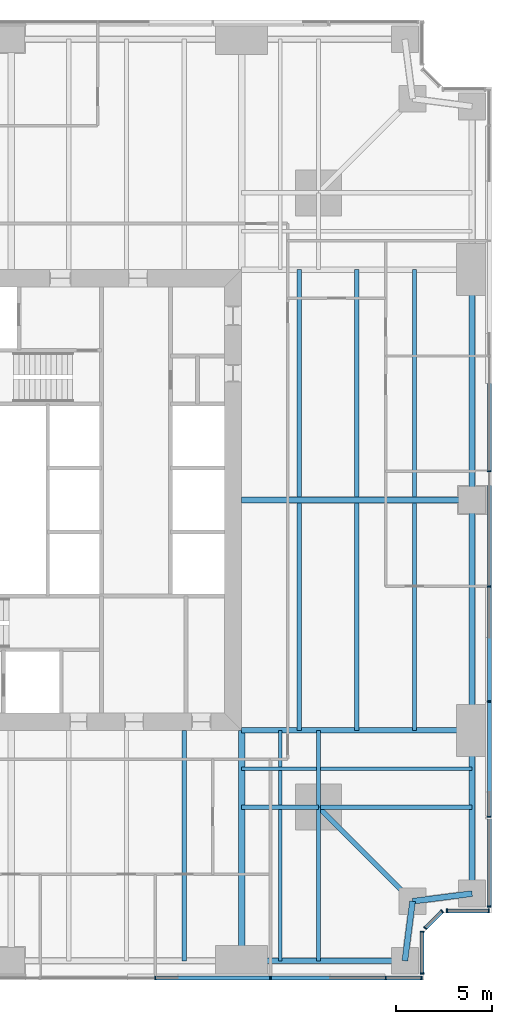
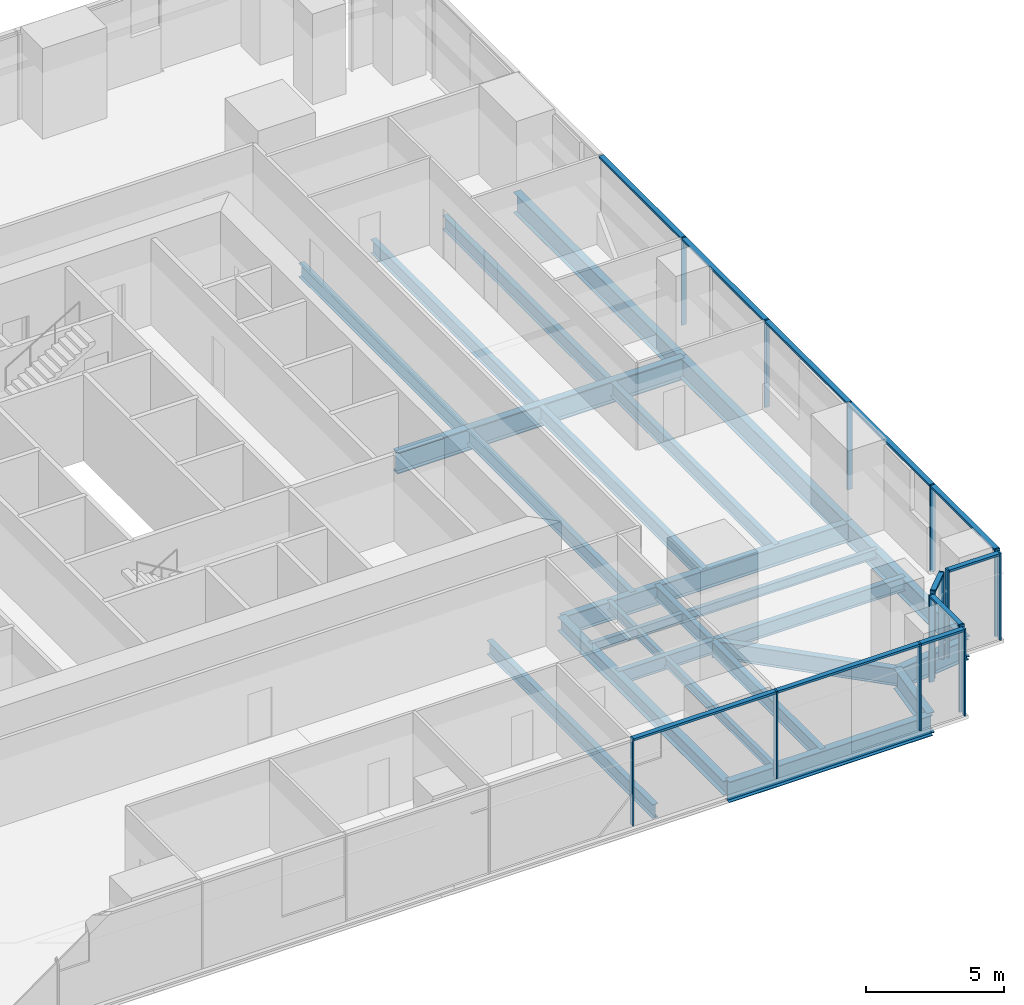
# One storey, part 5 of 16: 26 beams, 26 members, 5 elements without a shape of their own.
"""IFC4 building model written with IfcOpenShell, lengths in metres."""

from ifc_helpers import new_model, si_unit, direction, frame, origin, origin_2d, place, context, subcontext, project, spatial, rectangle, i_section, extrude, material, material_profile, profile_set, type_object, element, aggregate, save


model = new_model("IFC4")

# Units and contexts
model_context = context("Model", 3, precision=1e-05, world=origin(), true_north=direction((0.0, 1.0)))
body_context = subcontext(model_context, "Body", "Model", "MODEL_VIEW")
ifc_project = project(units=[si_unit("LENGTHUNIT", "METRE"), si_unit("AREAUNIT", "SQUARE_METRE"), si_unit("VOLUMEUNIT", "CUBIC_METRE"), si_unit("PLANEANGLEUNIT", "RADIAN"), si_unit("MASSUNIT", "GRAM", prefix="KILO")], contexts=[model_context])

# Site, building, storey
site_placement = place(None, origin())
site = spatial("IfcSite", under=ifc_project, at=site_placement, CompositionType="ELEMENT")
building_placement = place(site_placement, origin())
building = spatial("IfcBuilding", under=site, at=building_placement, Name="Fenwick Lantern Interchange", CompositionType="ELEMENT")
storey_placement = place(building_placement, frame((0.0, 0.0, 75.0)))
storey = spatial("IfcBuildingStorey", under=building, at=storey_placement, Name="L17", CompositionType="ELEMENT", Elevation=75.0)

# Beams
ifc_material_1 = material(Name="Steel ASTM A992 Grade 50", Category="steel")
ifc_material_profile_1 = material_profile(ifc_material_1, i_section(OverallWidth=0.3046875, OverallDepth=0.911865234375, WebThickness=0.015869140625, FlangeThickness=0.02392578125, at=origin_2d()), Name="W36X150")
ifc_profile_set_1 = profile_set([ifc_material_profile_1], Name="Steel ASTM A992 Grade 50")
beam_type_1 = type_object("IfcBeamType", Name="EDGE BEAM W36X150", PredefinedType="SPANDREL", material=ifc_profile_set_1)
beam_1_placement = place(storey_placement, frame((37.0, 1.0, -0.60595703125), z_axis=(1.0, 0.0, 0.0), x_axis=(0.0, 1.0, 0.0)))
element("IfcBeam", 1, at=beam_1_placement, inside=storey, type_object=beam_type_1, Name="L17/FR/S/EB4", PredefinedType="SPANDREL", context=body_context, shape_type="SweptSolid", body=[
    extrude(i_section(OverallWidth=0.3046875, OverallDepth=0.911865234375, WebThickness=0.015869140625, FlangeThickness=0.02392578125, at=origin_2d()), origin(), (0.0, 0.0, 1.0), 8.5),
])
for number, where, z_axis, x_axis, name in (
    (2, (45.5, 1.0, -0.60595703125), (0.127936641807, 0.991782342897, 0.0), (-0.991782342897, 0.127936641807, 0.0), "L17/FR/S/EBR1"),
    (3, (45.89990234375, 4.10009765625, -0.60595703125), (0.991782342897, 0.127936641807, 0.0), (-0.127936641807, 0.991782342897, 0.0), "L17/FR/S/EBR2"),
):
    element("IfcBeam", number, at=place(storey_placement, frame(where, z_axis=z_axis, x_axis=x_axis)), inside=storey, type_object=beam_type_1, Name=name, PredefinedType="SPANDREL", context=body_context, shape_type="SweptSolid", body=[
        extrude(i_section(OverallWidth=0.3046875, OverallDepth=0.911865234375, WebThickness=0.015869140625, FlangeThickness=0.02392578125, at=origin_2d()), origin(), (0.0, 0.0, 1.0), 3.125732421875),
    ])
beam_2_placement = place(storey_placement, frame((49.0, 4.5, -0.60595703125), z_axis=(0.0, 1.0, 0.0), x_axis=(-1.0, 0.0, 0.0)))
element("IfcBeam", 4, at=beam_2_placement, inside=storey, type_object=beam_type_1, Name="L17/FR/E/EB1", PredefinedType="SPANDREL", context=body_context, shape_type="SweptSolid", body=[
    extrude(i_section(OverallWidth=0.3046875, OverallDepth=0.911865234375, WebThickness=0.015869140625, FlangeThickness=0.02392578125, at=origin_2d()), origin(), (0.0, 0.0, 1.0), 8.5),
])
for number, where, z_axis, x_axis, name in (
    (5, (49.0, 13.0, -0.60595703125), (0.0, 1.0, 0.0), (-1.0, 0.0, 0.0), "L17/FR/E/EB2"),
    (6, (49.0, 25.0, -0.60595703125), (0.0, 1.0, 0.0), (-1.0, 0.0, 0.0), "L17/FR/E/EB3"),
):
    element("IfcBeam", number, at=place(storey_placement, frame(where, z_axis=z_axis, x_axis=x_axis)), inside=storey, type_object=beam_type_1, Name=name, PredefinedType="SPANDREL", context=body_context, shape_type="SweptSolid", body=[
        extrude(i_section(OverallWidth=0.3046875, OverallDepth=0.911865234375, WebThickness=0.015869140625, FlangeThickness=0.02392578125, at=origin_2d()), origin(), (0.0, 0.0, 1.0), 12.0),
    ])
ifc_material_profile_2 = material_profile(ifc_material_1, i_section(OverallWidth=0.22900390625, OverallDepth=0.612060546875, WebThickness=0.011962890625, FlangeThickness=0.01953125, at=origin_2d()), Name="W24X84")
ifc_profile_set_2 = profile_set([ifc_material_profile_2], Name="Steel ASTM A992 Grade 50")
beam_type_2 = type_object("IfcBeamType", Name="FLOOR BEAM W24X84", PredefinedType="BEAM", material=ifc_profile_set_2)
beam_3_placement = place(storey_placement, frame((34.0, 1.0, -0.4560546875), z_axis=(0.0, 1.0, 0.0), x_axis=(-1.0, 0.0, 0.0)))
element("IfcBeam", 7, at=beam_3_placement, inside=storey, type_object=beam_type_2, Name="L17/FR/S/R08", PredefinedType="BEAM", context=body_context, shape_type="SweptSolid", body=[
    extrude(i_section(OverallWidth=0.22900390625, OverallDepth=0.612060546875, WebThickness=0.011962890625, FlangeThickness=0.01953125, at=origin_2d()), origin(), (0.0, 0.0, 1.0), 12.0),
])
for number, where, z_axis, x_axis, name in (
    (8, (46.0, 13.0, -0.4560546875), (0.0, 1.0, 0.0), (-1.0, 0.0, 0.0), "L17/FR/E/B01"),
    (9, (43.0, 13.0, -0.4560546875), (0.0, 1.0, 0.0), (-1.0, 0.0, 0.0), "L17/FR/E/B02"),
    (10, (40.0, 13.0, -0.4560546875), (0.0, 1.0, 0.0), (-1.0, 0.0, 0.0), "L17/FR/E/B03"),
    (11, (46.0, 25.155029296875, -0.4560546875), (0.0, 1.0, 0.0), (-1.0, 0.0, 0.0), "L17/FR/E/B04"),
    (12, (43.0, 25.155029296875, -0.4560546875), (0.0, 1.0, 0.0), (-1.0, 0.0, 0.0), "L17/FR/E/B05"),
    (13, (40.0, 25.155029296875, -0.4560546875), (0.0, 1.0, 0.0), (-1.0, 0.0, 0.0), "L17/FR/E/B06"),
):
    element("IfcBeam", number, at=place(storey_placement, frame(where, z_axis=z_axis, x_axis=x_axis)), inside=storey, type_object=beam_type_2, Name=name, PredefinedType="BEAM", context=body_context, shape_type="SweptSolid", body=[
        extrude(i_section(OverallWidth=0.22900390625, OverallDepth=0.612060546875, WebThickness=0.011962890625, FlangeThickness=0.01953125, at=origin_2d()), origin(), (0.0, 0.0, 1.0), 11.844970703125),
    ])
ifc_material_profile_3 = material_profile(ifc_material_1, i_section(OverallWidth=0.177734375, OverallDepth=0.406494140625, WebThickness=0.0078125, FlangeThickness=0.012939453125, at=origin_2d()), Name="W16X40")
ifc_profile_set_3 = profile_set([ifc_material_profile_3], Name="Steel ASTM A992 Grade 50")
beam_type_3 = type_object("IfcBeamType", Name="INFILL BEAM W16X40", PredefinedType="JOIST", material=ifc_profile_set_3)
beam_4_placement = place(storey_placement, frame((49.0, 11.0, -0.353271484375), z_axis=(-1.0, 0.0, 0.0), x_axis=(0.0, -1.0, 0.0)))
element("IfcBeam", 14, at=beam_4_placement, inside=storey, type_object=beam_type_3, Name="L17/FR/E/J1", PredefinedType="JOIST", context=body_context, shape_type="SweptSolid", body=[
    extrude(i_section(OverallWidth=0.177734375, OverallDepth=0.406494140625, WebThickness=0.0078125, FlangeThickness=0.012939453125, at=origin_2d()), origin(), (0.0, 0.0, 1.0), 7.885498046875),
])
beam_5_placement = place(storey_placement, frame((40.885498046875, 11.0, -0.353271484375), z_axis=(-1.0, 0.0, 0.0), x_axis=(0.0, -1.0, 0.0)))
element("IfcBeam", 15, at=beam_5_placement, inside=storey, type_object=beam_type_3, Name="L17/FR/E/J2", PredefinedType="JOIST", context=body_context, shape_type="SweptSolid", body=[
    extrude(i_section(OverallWidth=0.177734375, OverallDepth=0.406494140625, WebThickness=0.0078125, FlangeThickness=0.012939453125, at=origin_2d()), origin(), (0.0, 0.0, 1.0), 3.885498046875),
])
beam_6_placement = place(storey_placement, frame((39.0, 1.0, -0.353271484375), z_axis=(0.0, 1.0, 0.0), x_axis=(-1.0, 0.0, 0.0)))
element("IfcBeam", 16, at=beam_6_placement, inside=storey, type_object=beam_type_3, Name="L17/FR/E/J3", PredefinedType="JOIST", context=body_context, shape_type="SweptSolid", body=[
    extrude(i_section(OverallWidth=0.177734375, OverallDepth=0.406494140625, WebThickness=0.0078125, FlangeThickness=0.012939453125, at=origin_2d()), origin(), (0.0, 0.0, 1.0), 7.885498046875),
])
beam_7_placement = place(storey_placement, frame((39.0, 9.114501953125, -0.353271484375), z_axis=(0.0, 1.0, 0.0), x_axis=(-1.0, 0.0, 0.0)))
element("IfcBeam", 17, at=beam_7_placement, inside=storey, type_object=beam_type_3, Name="L17/FR/E/J4", PredefinedType="JOIST", context=body_context, shape_type="SweptSolid", body=[
    extrude(i_section(OverallWidth=0.177734375, OverallDepth=0.406494140625, WebThickness=0.0078125, FlangeThickness=0.012939453125, at=origin_2d()), origin(), (0.0, 0.0, 1.0), 1.796630859375),
])
beam_8_placement = place(storey_placement, frame((39.0, 11.0888671875, -0.353271484375), z_axis=(0.0, 1.0, 0.0), x_axis=(-1.0, 0.0, 0.0)))
element("IfcBeam", 18, at=beam_8_placement, inside=storey, type_object=beam_type_3, Name="L17/FR/E/J5", PredefinedType="JOIST", context=body_context, shape_type="SweptSolid", body=[
    extrude(i_section(OverallWidth=0.177734375, OverallDepth=0.406494140625, WebThickness=0.0078125, FlangeThickness=0.012939453125, at=origin_2d()), origin(), (0.0, 0.0, 1.0), 1.9111328125),
])
ifc_material_profile_4 = material_profile(ifc_material_1, i_section(OverallWidth=0.22900390625, OverallDepth=0.612060546875, WebThickness=0.011962890625, FlangeThickness=0.01953125, at=origin_2d()), Name="W24X84")
ifc_profile_set_4 = profile_set([ifc_material_profile_4], Name="Steel ASTM A992 Grade 50")
beam_type_4 = type_object("IfcBeamType", Name="MEGA COLUMN BEAM W24X84", PredefinedType="BEAM", material=ifc_profile_set_4)
for number, where, z_axis, x_axis, name in (
    (19, (41.0, 9.0, -0.4560546875), (1.0, 0.0, 0.0), (0.0, 1.0, 0.0), "L17/FR/E/MB1"),
    (20, (41.0, 9.0, -0.4560546875), (0.0, -1.0, 0.0), (1.0, 0.0, 0.0), "L17/FR/E/MB2"),
):
    element("IfcBeam", number, at=place(storey_placement, frame(where, z_axis=z_axis, x_axis=x_axis)), inside=storey, type_object=beam_type_4, Name=name, PredefinedType="BEAM", context=body_context, shape_type="SweptSolid", body=[
        extrude(i_section(OverallWidth=0.22900390625, OverallDepth=0.612060546875, WebThickness=0.011962890625, FlangeThickness=0.01953125, at=origin_2d()), origin(), (0.0, 0.0, 1.0), 8.0),
    ])
for number, where, z_axis, x_axis, name in (
    (21, (41.0, 9.0, -0.4560546875), (0.0, 1.0, 0.0), (-1.0, 0.0, 0.0), "L17/FR/E/MB3"),
    (22, (41.0, 9.0, -0.4560546875), (-1.0, 0.0, 0.0), (0.0, -1.0, 0.0), "L17/FR/E/MB4"),
):
    element("IfcBeam", number, at=place(storey_placement, frame(where, z_axis=z_axis, x_axis=x_axis)), inside=storey, type_object=beam_type_4, Name=name, PredefinedType="BEAM", context=body_context, shape_type="SweptSolid", body=[
        extrude(i_section(OverallWidth=0.22900390625, OverallDepth=0.612060546875, WebThickness=0.011962890625, FlangeThickness=0.01953125, at=origin_2d()), origin(), (0.0, 0.0, 1.0), 4.0),
    ])
ifc_material_profile_5 = material_profile(ifc_material_1, i_section(OverallWidth=0.32763671875, OverallDepth=0.622314453125, WebThickness=0.015380859375, FlangeThickness=0.0244140625, at=origin_2d()), Name="W24X131")
ifc_profile_set_5 = profile_set([ifc_material_profile_5], Name="Steel ASTM A992 Grade 50")
beam_type_5 = type_object("IfcBeamType", Name="MOMENT-CONNECTED GIRDER W24X131", PredefinedType="BEAM", material=ifc_profile_set_5)
beam_9_placement = place(storey_placement, frame((37.0, 1.0, -0.461181640625), z_axis=(0.0, 1.0, 0.0), x_axis=(-1.0, 0.0, 0.0)))
element("IfcBeam", 23, at=beam_9_placement, inside=storey, type_object=beam_type_5, Name="L17/FR/S/R09", PredefinedType="BEAM", context=body_context, shape_type="SweptSolid", body=[
    extrude(i_section(OverallWidth=0.32763671875, OverallDepth=0.622314453125, WebThickness=0.015380859375, FlangeThickness=0.0244140625, at=origin_2d()), origin(), (0.0, 0.0, 1.0), 12.0),
])
ifc_material_profile_6 = material_profile(ifc_material_1, i_section(OverallWidth=0.2919921875, OverallDepth=0.845703125, WebThickness=0.015380859375, FlangeThickness=0.0244140625, at=origin_2d()), Name="W33X141")
ifc_profile_set_6 = profile_set([ifc_material_profile_6], Name="Steel ASTM A992 Grade 50")
beam_type_6 = type_object("IfcBeamType", Name="MOMENT-CONNECTED GIRDER W33X141", PredefinedType="BEAM", material=ifc_profile_set_6)
beam_10_placement = place(storey_placement, frame((49.0, 13.0, -0.572998046875), z_axis=(-1.0, 0.0, 0.0), x_axis=(0.0, -1.0, 0.0)))
element("IfcBeam", 24, at=beam_10_placement, inside=storey, type_object=beam_type_6, Name="L17/FR/E/R01", PredefinedType="BEAM", context=body_context, shape_type="SweptSolid", body=[
    extrude(i_section(OverallWidth=0.2919921875, OverallDepth=0.845703125, WebThickness=0.015380859375, FlangeThickness=0.0244140625, at=origin_2d()), origin(), (0.0, 0.0, 1.0), 12.0),
])
ifc_material_profile_7 = material_profile(ifc_material_1, i_section(OverallWidth=0.309814453125, OverallDepth=0.949951171875, WebThickness=0.0244140625, FlangeThickness=0.0439453125, at=origin_2d()), Name="W36X256")
ifc_profile_set_7 = profile_set([ifc_material_profile_7], Name="Steel ASTM A992 Grade 50")
beam_type_7 = type_object("IfcBeamType", Name="MOMENT-CONNECTED GIRDER W36X256", PredefinedType="BEAM", material=ifc_profile_set_7)
beam_11_placement = place(storey_placement, frame((49.0, 25.0, -0.625), z_axis=(-1.0, 0.0, 0.0), x_axis=(0.0, -1.0, 0.0)))
element("IfcBeam", 25, at=beam_11_placement, inside=storey, type_object=beam_type_7, Name="L17/FR/E/R02", PredefinedType="BEAM", context=body_context, shape_type="SweptSolid", body=[
    extrude(i_section(OverallWidth=0.309814453125, OverallDepth=0.949951171875, WebThickness=0.0244140625, FlangeThickness=0.0439453125, at=origin_2d()), origin(), (0.0, 0.0, 1.0), 12.0),
])
ifc_material_profile_8 = material_profile(ifc_material_1, i_section(OverallWidth=0.2666015625, OverallDepth=0.7568359375, WebThickness=0.013916015625, FlangeThickness=0.019287109375, at=origin_2d()), Name="W30X108")
ifc_profile_set_8 = profile_set([ifc_material_profile_8], Name="Steel ASTM A992 Grade 50")
beam_type_8 = type_object("IfcBeamType", Name="NOTCH BEAM W30X108", PredefinedType="BEAM", material=ifc_profile_set_8)
beam_12_placement = place(storey_placement, frame((41.0, 9.0, -0.528564453125), z_axis=(0.707106781187, -0.707106781187, 0.0), x_axis=(0.707106781187, 0.707106781187, 0.0)))
element("IfcBeam", 26, at=beam_12_placement, inside=storey, type_object=beam_type_8, Name="L17/FR/E/TG", PredefinedType="BEAM", context=body_context, shape_type="SweptSolid", body=[
    extrude(i_section(OverallWidth=0.2666015625, OverallDepth=0.7568359375, WebThickness=0.013916015625, FlangeThickness=0.019287109375, at=origin_2d()), origin(), (0.0, 0.0, 1.0), 6.929443359375),
])

# Curtain wall, members
ifc_material_2 = material(Name="Aluminium curtain wall frame", Category="aluminium")
curtain_wall_type = type_object("IfcCurtainWallType", Name="OFFICE CURTAIN WALL", PredefinedType="USERDEFINED", material=ifc_material_2)
curtain_wall_1_placement = place(storey_placement, origin())
curtain_wall_1 = element("IfcCurtainWall", 27, at=curtain_wall_1_placement, inside=storey, type_object=curtain_wall_type, Name="Office curtain wall 01", ObjectType="OFFICE CURTAIN WALL", PredefinedType="USERDEFINED")
ifc_material_3 = material(Name="Aluminium extrusion", Category="aluminium")
ifc_material_profile_9 = material_profile(ifc_material_3, rectangle(XDim=0.199951171875, YDim=0.06494140625, at=origin_2d()), Name="OFFICE CURTAIN WALL MULLION 65 X 200")
ifc_profile_set_9 = profile_set([ifc_material_profile_9], Name="Aluminium extrusion")
member_type_1 = type_object("IfcMemberType", Name="OFFICE CURTAIN WALL MULLION 65 X 200", PredefinedType="MULLION", material=ifc_profile_set_9)
member_1_placement = place(storey_placement, frame((32.5, 0.10009765625, 0.0), z_axis=(0.0, 0.0, 1.0), x_axis=(0.0, 1.0, 0.0)))
member_1 = element("IfcMember", 28, at=member_1_placement, type_object=member_type_1, Name="L17/CW/01/M05", PredefinedType="MULLION", context=body_context, shape_type="SweptSolid", body=[
    extrude(rectangle(XDim=0.199951171875, YDim=0.06494140625, at=origin_2d()), origin(), (0.0, 0.0, 1.0), 3.85009765625),
])
member_2_placement = place(storey_placement, frame((38.5, 0.10009765625, 0.0), z_axis=(0.0, 0.0, 1.0), x_axis=(0.0, 1.0, 0.0)))
member_2 = element("IfcMember", 29, at=member_2_placement, type_object=member_type_1, Name="L17/CW/01/M06", PredefinedType="MULLION", context=body_context, shape_type="SweptSolid", body=[
    extrude(rectangle(XDim=0.199951171875, YDim=0.06494140625, at=origin_2d()), origin(), (0.0, 0.0, 1.0), 3.85009765625),
])
member_3_placement = place(storey_placement, frame((44.5, 0.10009765625, 0.0), z_axis=(0.0, 0.0, 1.0), x_axis=(0.0, 1.0, 0.0)))
member_3 = element("IfcMember", 30, at=member_3_placement, type_object=member_type_1, Name="L17/CW/01/M07", PredefinedType="MULLION", context=body_context, shape_type="SweptSolid", body=[
    extrude(rectangle(XDim=0.199951171875, YDim=0.06494140625, at=origin_2d()), origin(), (0.0, 0.0, 1.0), 3.85009765625),
])
member_4_placement = place(storey_placement, frame((46.367431640625, 0.10009765625, 0.0), z_axis=(0.0, 0.0, 1.0), x_axis=(0.0, 1.0, 0.0)))
member_4 = element("IfcMember", 31, at=member_4_placement, type_object=member_type_1, Name="L17/CW/01/M08", PredefinedType="MULLION", context=body_context, shape_type="SweptSolid", body=[
    extrude(rectangle(XDim=0.199951171875, YDim=0.06494140625, at=origin_2d()), origin(), (0.0, 0.0, 1.0), 3.85009765625),
])

curtain_wall_2_placement = place(storey_placement, origin())
curtain_wall_2 = element("IfcCurtainWall", 32, at=curtain_wall_2_placement, inside=storey, type_object=curtain_wall_type, Name="Office curtain wall 02", ObjectType="OFFICE CURTAIN WALL", PredefinedType="USERDEFINED")
member_5_placement = place(storey_placement, frame((46.39990234375, 0.33251953125, 0.0), z_axis=(0.0, 0.0, 1.0), x_axis=(-1.0, 0.0, 0.0)))
member_5 = element("IfcMember", 33, at=member_5_placement, type_object=member_type_1, Name="L17/CW/02/M00", PredefinedType="MULLION", context=body_context, shape_type="SweptSolid", body=[
    extrude(rectangle(XDim=0.199951171875, YDim=0.06494140625, at=origin_2d()), origin(), (0.0, 0.0, 1.0), 3.85009765625),
])
member_6_placement = place(storey_placement, frame((46.39990234375, 2.509033203125, 0.0), z_axis=(0.0, 0.0, 1.0), x_axis=(-1.0, 0.0, 0.0)))
member_6 = element("IfcMember", 34, at=member_6_placement, type_object=member_type_1, Name="L17/CW/02/M01", PredefinedType="MULLION", context=body_context, shape_type="SweptSolid", body=[
    extrude(rectangle(XDim=0.199951171875, YDim=0.06494140625, at=origin_2d()), origin(), (0.0, 0.0, 1.0), 3.85009765625),
])

curtain_wall_3_placement = place(storey_placement, origin())
curtain_wall_3 = element("IfcCurtainWall", 35, at=curtain_wall_3_placement, inside=storey, type_object=curtain_wall_type, Name="Office curtain wall 03", ObjectType="OFFICE CURTAIN WALL", PredefinedType="USERDEFINED")
member_7_placement = place(storey_placement, frame((46.564453125, 2.705810546875, 0.0), z_axis=(0.0, 0.0, 1.0), x_axis=(-0.707106781187, 0.707106781187, 0.0)))
member_7 = element("IfcMember", 36, at=member_7_placement, type_object=member_type_1, Name="L17/CW/03/M00", PredefinedType="MULLION", context=body_context, shape_type="SweptSolid", body=[
    extrude(rectangle(XDim=0.199951171875, YDim=0.06494140625, at=origin_2d()), origin(), (0.0, 0.0, 1.0), 3.85009765625),
])
member_8_placement = place(storey_placement, frame((47.435546875, 3.576904296875, 0.0), z_axis=(0.0, 0.0, 1.0), x_axis=(-0.707106781187, 0.707106781187, 0.0)))
member_8 = element("IfcMember", 37, at=member_8_placement, type_object=member_type_1, Name="L17/CW/03/M01", PredefinedType="MULLION", context=body_context, shape_type="SweptSolid", body=[
    extrude(rectangle(XDim=0.199951171875, YDim=0.06494140625, at=origin_2d()), origin(), (0.0, 0.0, 1.0), 3.85009765625),
])

curtain_wall_4_placement = place(storey_placement, origin())
curtain_wall_4 = element("IfcCurtainWall", 38, at=curtain_wall_4_placement, inside=storey, type_object=curtain_wall_type, Name="Office curtain wall 04", ObjectType="OFFICE CURTAIN WALL", PredefinedType="USERDEFINED")
member_9_placement = place(storey_placement, frame((47.691162109375, 3.60009765625, 0.0), z_axis=(0.0, 0.0, 1.0), x_axis=(0.0, 1.0, 0.0)))
member_9 = element("IfcMember", 39, at=member_9_placement, type_object=member_type_1, Name="L17/CW/04/M00", PredefinedType="MULLION", context=body_context, shape_type="SweptSolid", body=[
    extrude(rectangle(XDim=0.199951171875, YDim=0.06494140625, at=origin_2d()), origin(), (0.0, 0.0, 1.0), 3.85009765625),
])
member_10_placement = place(storey_placement, frame((49.867431640625, 3.60009765625, 0.0), z_axis=(0.0, 0.0, 1.0), x_axis=(0.0, 1.0, 0.0)))
member_10 = element("IfcMember", 40, at=member_10_placement, type_object=member_type_1, Name="L17/CW/04/M01", PredefinedType="MULLION", context=body_context, shape_type="SweptSolid", body=[
    extrude(rectangle(XDim=0.199951171875, YDim=0.06494140625, at=origin_2d()), origin(), (0.0, 0.0, 1.0), 3.85009765625),
])

curtain_wall_5_placement = place(storey_placement, origin())
curtain_wall_5 = element("IfcCurtainWall", 41, at=curtain_wall_5_placement, inside=storey, type_object=curtain_wall_type, Name="Office curtain wall 05", ObjectType="OFFICE CURTAIN WALL", PredefinedType="USERDEFINED")
member_11_placement = place(storey_placement, frame((49.89990234375, 3.83251953125, 0.0), z_axis=(0.0, 0.0, 1.0), x_axis=(-1.0, 0.0, 0.0)))
member_11 = element("IfcMember", 42, at=member_11_placement, type_object=member_type_1, Name="L17/CW/05/M00", PredefinedType="MULLION", context=body_context, shape_type="SweptSolid", body=[
    extrude(rectangle(XDim=0.199951171875, YDim=0.06494140625, at=origin_2d()), origin(), (0.0, 0.0, 1.0), 3.85009765625),
])
member_12_placement = place(storey_placement, frame((49.89990234375, 8.5, 0.0), z_axis=(0.0, 0.0, 1.0), x_axis=(-1.0, 0.0, 0.0)))
member_12 = element("IfcMember", 43, at=member_12_placement, type_object=member_type_1, Name="L17/CW/05/M01", PredefinedType="MULLION", context=body_context, shape_type="SweptSolid", body=[
    extrude(rectangle(XDim=0.199951171875, YDim=0.06494140625, at=origin_2d()), origin(), (0.0, 0.0, 1.0), 3.85009765625),
])
member_13_placement = place(storey_placement, frame((49.89990234375, 14.5, 0.0), z_axis=(0.0, 0.0, 1.0), x_axis=(-1.0, 0.0, 0.0)))
member_13 = element("IfcMember", 44, at=member_13_placement, type_object=member_type_1, Name="L17/CW/05/M02", PredefinedType="MULLION", context=body_context, shape_type="SweptSolid", body=[
    extrude(rectangle(XDim=0.199951171875, YDim=0.06494140625, at=origin_2d()), origin(), (0.0, 0.0, 1.0), 3.85009765625),
])
member_14_placement = place(storey_placement, frame((49.89990234375, 20.5, 0.0), z_axis=(0.0, 0.0, 1.0), x_axis=(-1.0, 0.0, 0.0)))
member_14 = element("IfcMember", 45, at=member_14_placement, type_object=member_type_1, Name="L17/CW/05/M03", PredefinedType="MULLION", context=body_context, shape_type="SweptSolid", body=[
    extrude(rectangle(XDim=0.199951171875, YDim=0.06494140625, at=origin_2d()), origin(), (0.0, 0.0, 1.0), 3.85009765625),
])
member_15_placement = place(storey_placement, frame((49.89990234375, 26.5, 0.0), z_axis=(0.0, 0.0, 1.0), x_axis=(-1.0, 0.0, 0.0)))
member_15 = element("IfcMember", 46, at=member_15_placement, type_object=member_type_1, Name="L17/CW/05/M04", PredefinedType="MULLION", context=body_context, shape_type="SweptSolid", body=[
    extrude(rectangle(XDim=0.199951171875, YDim=0.06494140625, at=origin_2d()), origin(), (0.0, 0.0, 1.0), 3.85009765625),
])

# Member
ifc_material_profile_10 = material_profile(ifc_material_3, rectangle(XDim=0.199951171875, YDim=0.10009765625, at=origin_2d()), Name="OFFICE CURTAIN WALL TRANSOM 100 X 200")
ifc_profile_set_10 = profile_set([ifc_material_profile_10], Name="Aluminium extrusion")
member_type_2 = type_object("IfcMemberType", Name="OFFICE CURTAIN WALL TRANSOM 100 X 200", PredefinedType="MULLION", material=ifc_profile_set_10)
member_16_placement = place(storey_placement, frame((32.532470703125, 0.10009765625, 3.800048828125), z_axis=(1.0, 0.0, 0.0), x_axis=(0.0, 1.0, 0.0)))
member_16 = element("IfcMember", 47, at=member_16_placement, type_object=member_type_2, Name="L17/CW/01/T05", PredefinedType="MULLION", context=body_context, shape_type="SweptSolid", body=[
    extrude(rectangle(XDim=0.199951171875, YDim=0.10009765625, at=origin_2d()), origin(), (0.0, 0.0, 1.0), 5.93505859375),
])

member_17_placement = place(storey_placement, frame((38.532470703125, 0.10009765625, 3.800048828125), z_axis=(1.0, 0.0, 0.0), x_axis=(0.0, 1.0, 0.0)))
member_17 = element("IfcMember", 48, at=member_17_placement, type_object=member_type_2, Name="L17/CW/01/T06", PredefinedType="MULLION", context=body_context, shape_type="SweptSolid", body=[
    extrude(rectangle(XDim=0.199951171875, YDim=0.10009765625, at=origin_2d()), origin(), (0.0, 0.0, 1.0), 5.93505859375),
])

member_18_placement = place(storey_placement, frame((44.532470703125, 0.10009765625, 3.800048828125), z_axis=(1.0, 0.0, 0.0), x_axis=(0.0, 1.0, 0.0)))
member_18 = element("IfcMember", 49, at=member_18_placement, type_object=member_type_2, Name="L17/CW/01/T07", PredefinedType="MULLION", context=body_context, shape_type="SweptSolid", body=[
    extrude(rectangle(XDim=0.199951171875, YDim=0.10009765625, at=origin_2d()), origin(), (0.0, 0.0, 1.0), 1.802490234375),
])

aggregate(curtain_wall_1, [member_1, member_2, member_3, member_4, member_16, member_17, member_18])

member_19_placement = place(storey_placement, frame((46.39990234375, 0.364990234375, 3.800048828125), z_axis=(0.0, 1.0, 0.0), x_axis=(-1.0, 0.0, 0.0)))
member_19 = element("IfcMember", 50, at=member_19_placement, type_object=member_type_2, Name="L17/CW/02/T00", PredefinedType="MULLION", context=body_context, shape_type="SweptSolid", body=[
    extrude(rectangle(XDim=0.199951171875, YDim=0.10009765625, at=origin_2d()), origin(), (0.0, 0.0, 1.0), 2.111328125),
])

aggregate(curtain_wall_2, [member_5, member_6, member_19])

member_20_placement = place(storey_placement, frame((46.58740234375, 2.728759765625, 3.800048828125), z_axis=(0.707106781187, 0.707106781187, 0.0), x_axis=(-0.707106781187, 0.707106781187, 0.0)))
member_20 = element("IfcMember", 51, at=member_20_placement, type_object=member_type_2, Name="L17/CW/03/T00", PredefinedType="MULLION", context=body_context, shape_type="SweptSolid", body=[
    extrude(rectangle(XDim=0.199951171875, YDim=0.10009765625, at=origin_2d()), origin(), (0.0, 0.0, 1.0), 1.1669921875),
])

aggregate(curtain_wall_3, [member_7, member_8, member_20])

member_21_placement = place(storey_placement, frame((47.7236328125, 3.60009765625, 3.800048828125), z_axis=(1.0, 0.0, 0.0), x_axis=(0.0, 1.0, 0.0)))
member_21 = element("IfcMember", 52, at=member_21_placement, type_object=member_type_2, Name="L17/CW/04/T00", PredefinedType="MULLION", context=body_context, shape_type="SweptSolid", body=[
    extrude(rectangle(XDim=0.199951171875, YDim=0.10009765625, at=origin_2d()), origin(), (0.0, 0.0, 1.0), 2.111328125),
])

aggregate(curtain_wall_4, [member_9, member_10, member_21])

member_22_placement = place(storey_placement, frame((49.89990234375, 3.864990234375, 3.800048828125), z_axis=(0.0, 1.0, 0.0), x_axis=(-1.0, 0.0, 0.0)))
member_22 = element("IfcMember", 53, at=member_22_placement, type_object=member_type_2, Name="L17/CW/05/T00", PredefinedType="MULLION", context=body_context, shape_type="SweptSolid", body=[
    extrude(rectangle(XDim=0.199951171875, YDim=0.10009765625, at=origin_2d()), origin(), (0.0, 0.0, 1.0), 4.6025390625),
])

member_23_placement = place(storey_placement, frame((49.89990234375, 8.532470703125, 3.800048828125), z_axis=(0.0, 1.0, 0.0), x_axis=(-1.0, 0.0, 0.0)))
member_23 = element("IfcMember", 54, at=member_23_placement, type_object=member_type_2, Name="L17/CW/05/T01", PredefinedType="MULLION", context=body_context, shape_type="SweptSolid", body=[
    extrude(rectangle(XDim=0.199951171875, YDim=0.10009765625, at=origin_2d()), origin(), (0.0, 0.0, 1.0), 5.93505859375),
])

member_24_placement = place(storey_placement, frame((49.89990234375, 14.532470703125, 3.800048828125), z_axis=(0.0, 1.0, 0.0), x_axis=(-1.0, 0.0, 0.0)))
member_24 = element("IfcMember", 55, at=member_24_placement, type_object=member_type_2, Name="L17/CW/05/T02", PredefinedType="MULLION", context=body_context, shape_type="SweptSolid", body=[
    extrude(rectangle(XDim=0.199951171875, YDim=0.10009765625, at=origin_2d()), origin(), (0.0, 0.0, 1.0), 5.93505859375),
])

member_25_placement = place(storey_placement, frame((49.89990234375, 20.532470703125, 3.800048828125), z_axis=(0.0, 1.0, 0.0), x_axis=(-1.0, 0.0, 0.0)))
member_25 = element("IfcMember", 56, at=member_25_placement, type_object=member_type_2, Name="L17/CW/05/T03", PredefinedType="MULLION", context=body_context, shape_type="SweptSolid", body=[
    extrude(rectangle(XDim=0.199951171875, YDim=0.10009765625, at=origin_2d()), origin(), (0.0, 0.0, 1.0), 5.93505859375),
])

member_26_placement = place(storey_placement, frame((49.89990234375, 26.532470703125, 3.800048828125), z_axis=(0.0, 1.0, 0.0), x_axis=(-1.0, 0.0, 0.0)))
member_26 = element("IfcMember", 57, at=member_26_placement, type_object=member_type_2, Name="L17/CW/05/T04", PredefinedType="MULLION", context=body_context, shape_type="SweptSolid", body=[
    extrude(rectangle(XDim=0.199951171875, YDim=0.10009765625, at=origin_2d()), origin(), (0.0, 0.0, 1.0), 5.93505859375),
])

aggregate(curtain_wall_5, [member_11, member_12, member_13, member_14, member_15, member_22, member_23, member_24, member_25, member_26])

save(model, "model.ifc")
